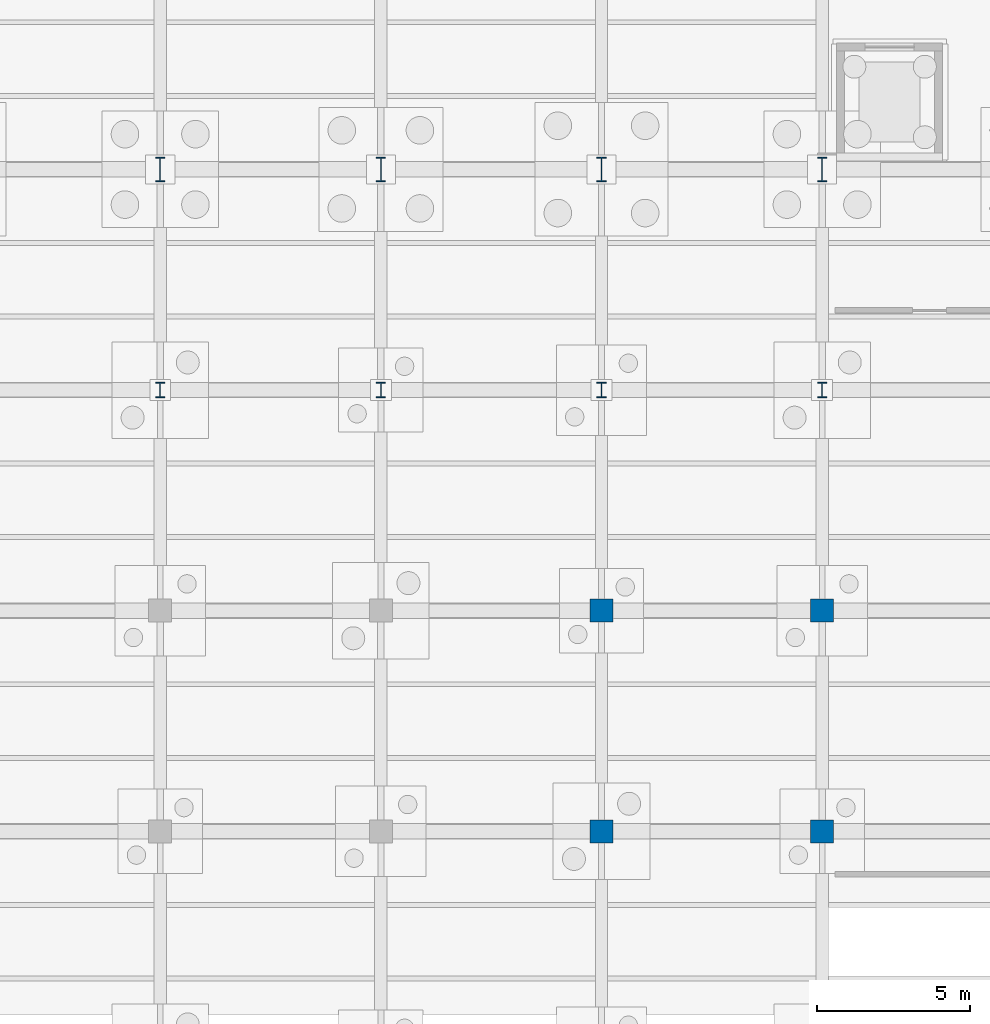
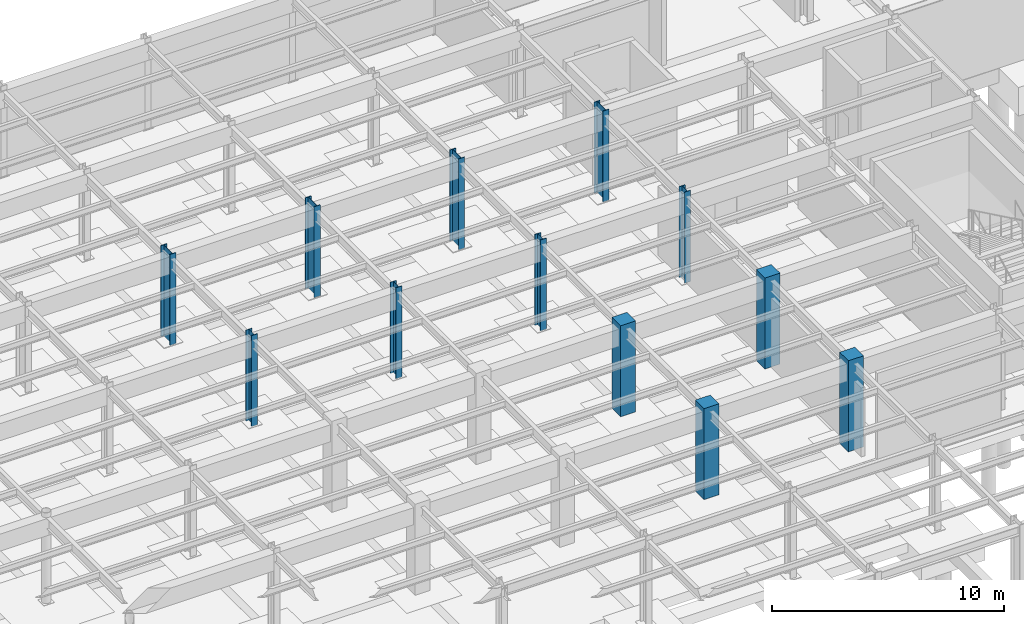
# One storey, part 22 of 64: 12 columns.
"""IFC4 building model written with IfcOpenShell, lengths in metres."""

from ifc_helpers import new_model, si_unit, direction, frame, origin, origin_2d, place, context, subcontext, project, spatial, rectangle, i_section, extrude, material, material_profile, profile_set, type_object, element, save


model = new_model("IFC4")

# Units and contexts
model_context = context("Model", 3, precision=1e-05, world=origin(), true_north=direction((0.0, 1.0)))
body_context = subcontext(model_context, "Body", "Model", "MODEL_VIEW")
ifc_project = project(units=[si_unit("LENGTHUNIT", "METRE"), si_unit("AREAUNIT", "SQUARE_METRE"), si_unit("VOLUMEUNIT", "CUBIC_METRE"), si_unit("PLANEANGLEUNIT", "RADIAN"), si_unit("MASSUNIT", "GRAM", prefix="KILO")], contexts=[model_context])

# Site, building, storey
site_placement = place(None, origin())
site = spatial("IfcSite", under=ifc_project, at=site_placement, CompositionType="ELEMENT")
building_placement = place(site_placement, origin())
building = spatial("IfcBuilding", under=site, at=building_placement, Name="Solvadek Multi-Sports Hall", CompositionType="ELEMENT")
storey_placement = place(building_placement, frame((0.0, 0.0, -4.800048828125)))
storey = spatial("IfcBuildingStorey", under=building, at=storey_placement, Name="B1", CompositionType="ELEMENT", Elevation=-4.800048828125)

# Columns
ifc_material_1 = material(Name="Concrete M40", Category="concrete")
ifc_material_profile_1 = material_profile(ifc_material_1, rectangle(XDim=0.75, YDim=0.75, at=origin_2d()), Name="RC 750x750")
ifc_profile_set_1 = profile_set([ifc_material_profile_1], Name="Concrete M40")
column_type_1 = type_object("IfcColumnType", Name="STR-COL-RC750", PredefinedType="COLUMN", material=ifc_profile_set_1)
for number, where, z_axis, x_axis, name in (
    (1, (115.199951171875, 20.39990234375, 0.0), (0.0, 0.0, 1.0), (1.0, 0.0, 0.0), "B1 Column C-13 #216"),
    (2, (115.199951171875, 27.60009765625, 0.0), (0.0, 0.0, 1.0), (1.0, 0.0, 0.0), "B1 Column C-13 #217"),
    (3, (122.39990234375, 20.39990234375, 0.0), (0.0, 0.0, 1.0), (1.0, 0.0, 0.0), "B1 Column C-13 #224"),
    (4, (122.39990234375, 27.60009765625, 0.0), (0.0, 0.0, 1.0), (1.0, 0.0, 0.0), "B1 Column C-13 #225"),
):
    element("IfcColumn", number, at=place(storey_placement, frame(where, z_axis=z_axis, x_axis=x_axis)), inside=storey, type_object=column_type_1, Name=name, PredefinedType="COLUMN", context=body_context, shape_type="SweptSolid", body=[
        extrude(rectangle(XDim=0.75, YDim=0.75, at=origin_2d()), origin(), (0.0, 0.0, 1.0), 4.800048828125),
    ])
ifc_material_2 = material(Name="Steel E350 (350 MPa)", Category="steel")
ifc_material_profile_2 = material_profile(ifc_material_2, i_section(OverallWidth=0.300048828125, OverallDepth=0.5, WebThickness=0.014404296875, FlangeThickness=0.028076171875, at=origin_2d()), Name="WPB 500")
ifc_profile_set_2 = profile_set([ifc_material_profile_2], Name="Steel E350 (350 MPa)")
column_type_2 = type_object("IfcColumnType", Name="STR-COL-WPB500", PredefinedType="COLUMN", material=ifc_profile_set_2)
for number, where, z_axis, x_axis, name in (
    (5, (100.800048828125, 34.800048828125, 0.0), (0.0, 0.0, 1.0), (1.0, 0.0, 0.0), "B1 Column C-05 #202"),
    (6, (108.0, 34.800048828125, 0.0), (0.0, 0.0, 1.0), (1.0, 0.0, 0.0), "B1 Column C-05 #210"),
    (7, (115.199951171875, 34.800048828125, 0.0), (0.0, 0.0, 1.0), (1.0, 0.0, 0.0), "B1 Column C-05 #218"),
    (8, (122.39990234375, 34.800048828125, 0.0), (0.0, 0.0, 1.0), (1.0, 0.0, 0.0), "B1 Column C-05 #226"),
):
    element("IfcColumn", number, at=place(storey_placement, frame(where, z_axis=z_axis, x_axis=x_axis)), inside=storey, type_object=column_type_2, Name=name, PredefinedType="COLUMN", context=body_context, shape_type="SweptSolid", body=[
        extrude(i_section(OverallWidth=0.300048828125, OverallDepth=0.5, WebThickness=0.014404296875, FlangeThickness=0.028076171875, at=origin_2d()), origin(), (0.0, 0.0, 1.0), 4.800048828125),
    ])
ifc_material_profile_3 = material_profile(ifc_material_2, i_section(OverallWidth=0.300048828125, OverallDepth=0.800048828125, WebThickness=0.017578125, FlangeThickness=0.032958984375, at=origin_2d()), Name="WPB 800")
ifc_profile_set_3 = profile_set([ifc_material_profile_3], Name="Steel E350 (350 MPa)")
column_type_3 = type_object("IfcColumnType", Name="STR-COL-WPB800", PredefinedType="COLUMN", material=ifc_profile_set_3)
for number, where, z_axis, x_axis, name in (
    (9, (100.800048828125, 42.0, 0.0), (0.0, 0.0, 1.0), (1.0, 0.0, 0.0), "B1 Column C-01 #203"),
    (10, (108.0, 42.0, 0.0), (0.0, 0.0, 1.0), (1.0, 0.0, 0.0), "B1 Column C-01 #211"),
    (11, (115.199951171875, 42.0, 0.0), (0.0, 0.0, 1.0), (1.0, 0.0, 0.0), "B1 Column C-01 #219"),
    (12, (122.39990234375, 42.0, 0.0), (0.0, 0.0, 1.0), (1.0, 0.0, 0.0), "B1 Column C-01 #227"),
):
    element("IfcColumn", number, at=place(storey_placement, frame(where, z_axis=z_axis, x_axis=x_axis)), inside=storey, type_object=column_type_3, Name=name, PredefinedType="COLUMN", context=body_context, shape_type="SweptSolid", body=[
        extrude(i_section(OverallWidth=0.300048828125, OverallDepth=0.800048828125, WebThickness=0.017578125, FlangeThickness=0.032958984375, at=origin_2d()), origin(), (0.0, 0.0, 1.0), 4.800048828125),
    ])

save(model, "model.ifc")
